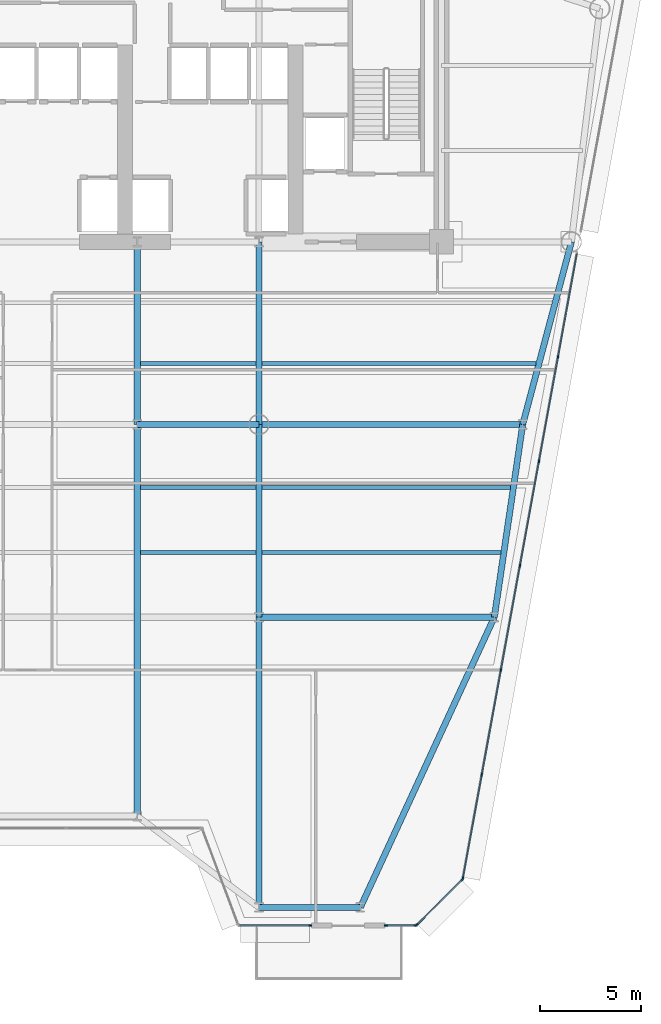
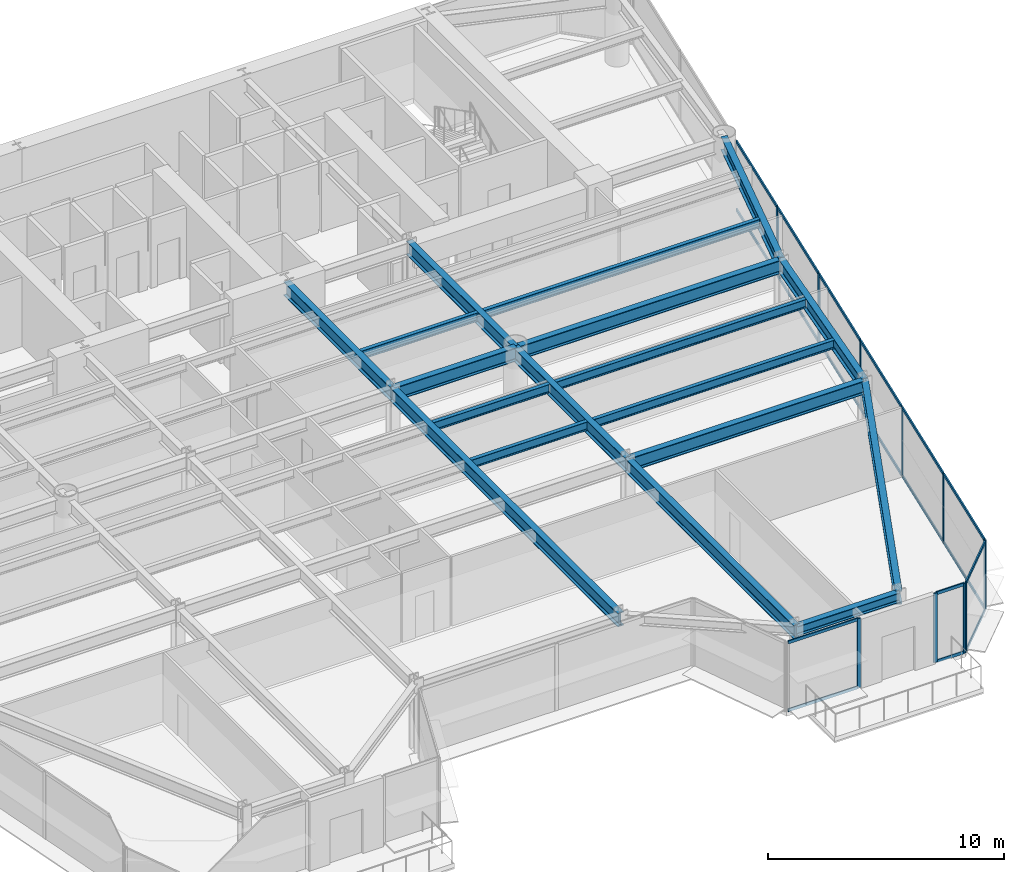
# One storey, part 5 of 17: 29 members, 18 beams, 4 elements without a shape of their own.
"""IFC4 building model written with IfcOpenShell, lengths in metres."""

import ifcopenshell
import ifcopenshell.guid

model = None  # the IFC model being written
_history = None  # IfcOwnerHistory: only IFC2X3 demands one
_inside = {}  # id of a spatial element -> (the spatial element, [elements in it])
_under = {}  # id of a project, library or spatial element -> (it, [spatial elements below it])
_declared = {}  # id of a project -> (the project, [libraries it declares])
_typed = {}  # id of a type object -> (the type object, [elements of that type])
_made_of = {}  # id of a material, layer set ... -> (it, [elements and type objects made of it])


def new_model(schema):
    """Start an empty IFC model of exactly this schema.

    Asked for "IFC4X3", IfcOpenShell would pick the latest addendum, in which some entities
    have other attributes; the version numbers below select the first issue.
    IFC2X3 requires an IfcOwnerHistory on every rooted entity: one is made here for all.
    """
    global model, _history
    if schema == "IFC4X3":
        model = ifcopenshell.file(schema_version=(4, 3, 0, 0))
    else:
        model = ifcopenshell.file(schema=schema)
    _inside.clear()
    _under.clear()
    _declared.clear()
    _typed.clear()
    _made_of.clear()
    _history = None
    if model.schema == "IFC2X3":
        org = make("IfcOrganization", Name="unknown")
        user = make(
            "IfcPersonAndOrganization",
            ThePerson=make("IfcPerson", FamilyName="unknown"),
            TheOrganization=org,
        )
        app = make(
            "IfcApplication",
            ApplicationDeveloper=org,
            Version="unknown",
            ApplicationFullName="unknown",
            ApplicationIdentifier="unknown",
        )
        _history = make(
            "IfcOwnerHistory",
            OwningUser=user,
            OwningApplication=app,
            ChangeAction="ADDED",
            CreationDate=0,
        )
    return model


def make(cls, **values):
    """One entity of the class cls with the attributes given. An attribute that is None is left unset."""
    return model.create_entity(
        cls, **{name: value for name, value in values.items() if value is not None}
    )


def rooted(cls, **values):
    """An entity with a GlobalId (a new one), such as an element, a storey or a relation."""
    return make(cls, GlobalId=ifcopenshell.guid.new(), OwnerHistory=_history, **values)


def si_unit(unit_type, name, prefix=None):
    """IfcSIUnit, for example si_unit("LENGTHUNIT", "METRE", prefix="MILLI")."""
    return make("IfcSIUnit", UnitType=unit_type, Prefix=prefix, Name=name)


def assignment(units):
    """IfcUnitAssignment: the units of a project."""
    return None if units is None else make("IfcUnitAssignment", Units=units)


def point(xyz):
    """IfcCartesianPoint."""
    return None if xyz is None else make("IfcCartesianPoint", Coordinates=xyz)


def direction(xyz):
    """IfcDirection."""
    return None if xyz is None else make("IfcDirection", DirectionRatios=xyz)


def frame(location, z_axis=None, x_axis=None):
    """IfcAxis2Placement3D, a coordinate frame: its origin and axes. An axis left out is left unset."""
    return make(
        "IfcAxis2Placement3D",
        Location=point(location),
        Axis=direction(z_axis),
        RefDirection=direction(x_axis),
    )


def frame_2d(location, x_axis=None):
    """IfcAxis2Placement2D, a coordinate frame in the plane: its origin and x axis."""
    return make(
        "IfcAxis2Placement2D", Location=point(location), RefDirection=direction(x_axis)
    )


def origin():
    """The frame at (0, 0, 0) with its axes left unset."""
    return frame((0.0, 0.0, 0.0))


def origin_2d():
    """The frame at (0, 0) in the plane with its x axis left unset."""
    return frame_2d((0.0, 0.0))


def place(relative_to, where):
    """IfcLocalPlacement: puts the frame where relative to a parent placement (None: the world)."""
    return make(
        "IfcLocalPlacement", PlacementRelTo=relative_to, RelativePlacement=where
    )


def context(
    kind, dimensions, precision=None, world=None, true_north=None, identifier=None
):
    """IfcGeometricRepresentationContext, for example the 3D "Model" context."""
    return make(
        "IfcGeometricRepresentationContext",
        ContextIdentifier=identifier,
        ContextType=kind,
        CoordinateSpaceDimension=dimensions,
        Precision=precision,
        WorldCoordinateSystem=world,
        TrueNorth=true_north,
    )


def subcontext(parent, identifier, kind, view, scale=None):
    """IfcGeometricRepresentationSubContext, for example "Body" below "Model"."""
    return make(
        "IfcGeometricRepresentationSubContext",
        ContextIdentifier=identifier,
        ContextType=kind,
        ParentContext=parent,
        TargetScale=scale,
        TargetView=view,
    )


def project(units=None, contexts=None):
    """IfcProject with its units and contexts."""
    return rooted(
        "IfcProject",
        Name="project",
        RepresentationContexts=contexts,
        UnitsInContext=assignment(units),
    )


def spatial(cls, under=None, at=None, **own):
    """A site, building, storey or space (cls), placed at a placement, below another one or the project."""
    s = rooted(cls, ObjectPlacement=at, **own)
    if under is not None:
        _under.setdefault(under.id(), (under, []))[1].append(s)
    return s


def profile(cls, at=None, kind="AREA", **sizes):
    """A parametric profile (cls). Its sizes go by their IFC names, for example OverallWidth=200.0."""
    return make(cls, ProfileType=kind, Position=at, **sizes)


def rectangle(**sizes):
    """IfcRectangleProfileDef."""
    return profile("IfcRectangleProfileDef", **sizes)


def i_section(**sizes):
    """IfcIShapeProfileDef."""
    return profile("IfcIShapeProfileDef", **sizes)


def extrude(swept, where, along, depth):
    """IfcExtrudedAreaSolid: the profile swept, set in the frame where, extruded along a direction by depth."""
    return make(
        "IfcExtrudedAreaSolid",
        SweptArea=swept,
        Position=where,
        ExtrudedDirection=direction(along),
        Depth=depth,
    )


def shape(context_of_items, identifier, shape_type, items):
    """IfcShapeRepresentation: the items that make up one representation, for example the "Body"."""
    return make(
        "IfcShapeRepresentation",
        ContextOfItems=context_of_items,
        RepresentationIdentifier=identifier,
        RepresentationType=shape_type,
        Items=items,
    )


def source(mapping_origin, context_of_items, identifier, shape_type, items):
    """IfcRepresentationMap: a shape defined once, which mapped items show again and again."""
    return make(
        "IfcRepresentationMap",
        MappingOrigin=mapping_origin,
        MappedRepresentation=shape(context_of_items, identifier, shape_type, items),
    )


def transform(
    local_origin,
    x_axis=None,
    y_axis=None,
    z_axis=None,
    scale=None,
    scale2=None,
    scale3=None,
    uniform=True,
):
    """IfcCartesianTransformationOperator3D, or its non-uniform kind. x_axis, y_axis, z_axis: its Axis1, 2, 3."""
    if uniform:
        return make(
            "IfcCartesianTransformationOperator3D",
            Axis1=direction(x_axis),
            Axis2=direction(y_axis),
            LocalOrigin=point(local_origin),
            Scale=scale,
            Axis3=direction(z_axis),
        )
    return make(
        "IfcCartesianTransformationOperator3DnonUniform",
        Axis1=direction(x_axis),
        Axis2=direction(y_axis),
        LocalOrigin=point(local_origin),
        Scale=scale,
        Axis3=direction(z_axis),
        Scale2=scale2,
        Scale3=scale3,
    )


def mapped(mapping_source, mapping_target):
    """IfcMappedItem: shows the shape of a source again, moved by a transform."""
    return make(
        "IfcMappedItem", MappingSource=mapping_source, MappingTarget=mapping_target
    )


def material(Name=None, Category=None):
    """IfcMaterial."""
    return make("IfcMaterial", Name=Name, Category=Category)


def layer(
    of_material, thickness, ventilated=None, Name=None, Category=None, Priority=None
):
    """IfcMaterialLayer: one layer of a wall or slab, of a material (None: an air gap)."""
    return make(
        "IfcMaterialLayer",
        Material=of_material,
        LayerThickness=thickness,
        IsVentilated=ventilated,
        Name=Name,
        Category=Category,
        Priority=Priority,
    )


def layer_set(layers, Name=None):
    """IfcMaterialLayerSet."""
    return make("IfcMaterialLayerSet", MaterialLayers=layers, LayerSetName=Name)


def material_profile(
    of_material, cross_section, Name=None, Category=None, Priority=None
):
    """IfcMaterialProfile: a cross section and its material."""
    return make(
        "IfcMaterialProfile",
        Name=Name,
        Material=of_material,
        Profile=cross_section,
        Priority=Priority,
        Category=Category,
    )


def profile_set(profiles, Name=None, composite=None):
    """IfcMaterialProfileSet."""
    return make(
        "IfcMaterialProfileSet",
        Name=Name,
        MaterialProfiles=profiles,
        CompositeProfile=composite,
    )


def made_of(thing, what):
    """Note that an element or type object is made of a material, layer set ...; save() writes the relation."""
    if what is not None:
        _made_of.setdefault(what.id(), (what, []))[1].append(thing)
    return thing


def type_object(cls, material=None, **own):
    """A type object (cls), such as IfcWallType, which elements share."""
    return made_of(rooted(cls, **own), material)


def element(
    cls,
    number,
    at=None,
    inside=None,
    cuts=None,
    type_object=None,
    material=None,
    context=None,
    identifier="Body",
    shape_type=None,
    held_by="IfcProductDefinitionShape",
    body=None,
    shapes=None,
    **own,
):
    """One element of the class cls, such as IfcWall. Its Tag is "e" and its number.

    at: its placement. inside: the storey or other place that contains it. cuts: it is an
    opening in that element (IfcRelVoidsElement). A single representation is given by context,
    identifier, shape_type and body (its items); several are given by shapes. held_by: the class
    of the entity that holds the representations. save() writes the other relations.
    """
    e = rooted(cls, Tag="e%d" % number, ObjectPlacement=at, **own)
    if body is not None:
        shapes = [shape(context, identifier, shape_type, body)]
    if shapes is not None:
        e.Representation = make(held_by, Representations=shapes)
    if inside is not None:
        _inside.setdefault(inside.id(), (inside, []))[1].append(e)
    if cuts is not None:
        rooted(
            "IfcRelVoidsElement", RelatingBuildingElement=cuts, RelatedOpeningElement=e
        )
    if type_object is not None:
        _typed.setdefault(type_object.id(), (type_object, []))[1].append(e)
    return made_of(e, material)


def aggregate(whole, parts):
    """IfcRelAggregates: a whole, such as a stair, and the parts it consists of."""
    return rooted("IfcRelAggregates", RelatingObject=whole, RelatedObjects=parts)


def save(model, path):
    """Write the relations noted so far, then the file.

    IfcRelAggregates (storeys below a building ...), IfcRelContainedInSpatialStructure (elements
    in a storey), IfcRelDefinesByType, IfcRelAssociatesMaterial and IfcRelDeclares: one each for
    every whole, place, type object, material and project.
    """
    for whole, parts in _under.values():
        aggregate(whole, parts)
    for where, things in _inside.values():
        rooted(
            "IfcRelContainedInSpatialStructure",
            RelatedElements=things,
            RelatingStructure=where,
        )
    for kind, things in _typed.values():
        rooted("IfcRelDefinesByType", RelatedObjects=things, RelatingType=kind)
    for what, things in _made_of.values():
        rooted("IfcRelAssociatesMaterial", RelatedObjects=things, RelatingMaterial=what)
    for by, libraries in _declared.values():
        rooted("IfcRelDeclares", RelatingContext=by, RelatedDefinitions=libraries)
    model.write(path)


model = new_model("IFC4")

# Units and contexts
model_context = context("Model", 3, precision=1e-05, world=origin(), true_north=direction((0.0, 1.0)))
body_context = subcontext(model_context, "Body", "Model", "MODEL_VIEW")
ifc_project = project(units=[si_unit("LENGTHUNIT", "METRE"), si_unit("AREAUNIT", "SQUARE_METRE"), si_unit("VOLUMEUNIT", "CUBIC_METRE"), si_unit("PLANEANGLEUNIT", "RADIAN"), si_unit("MASSUNIT", "GRAM", prefix="KILO")], contexts=[model_context])

# Site, building, storey
site_placement = place(None, origin())
site = spatial("IfcSite", under=ifc_project, at=site_placement, CompositionType="ELEMENT")
building_placement = place(site_placement, origin())
building = spatial("IfcBuilding", under=site, at=building_placement, Name="Vaeldorn Concourse Tower", CompositionType="ELEMENT")
storey_placement = place(building_placement, frame((0.0, 0.0, 153.800048828125)))
storey = spatial("IfcBuildingStorey", under=building, at=storey_placement, Name="L39", CompositionType="ELEMENT", Elevation=153.800048828125)

# Beams
ifc_material_1 = material(Name="Steel S355", Category="steel")
ifc_material_profile_1 = material_profile(ifc_material_1, i_section(OverallWidth=0.300048828125, OverallDepth=0.699951171875, WebThickness=0.01708984375, FlangeThickness=0.031982421875, FilletRadius=0.027099609375, at=origin_2d()), Name="HEB 700")
ifc_profile_set_1 = profile_set([ifc_material_profile_1], Name="Steel S355")
beam_type_1 = type_object("IfcBeamType", Name="BM-PG-HEB700", PredefinedType="BEAM", material=ifc_profile_set_1)
shared_shape_1 = source(origin(), body_context, "Body", "SweptSolid", [
    extrude(i_section(OverallWidth=0.300048828125, OverallDepth=0.699951171875, WebThickness=0.01708984375, FlangeThickness=0.031982421875, FilletRadius=0.027099609375, at=origin_2d()), origin(), (0.0, 0.0, 1.0), 6.0),
])
beam_1_placement = place(storey_placement, frame((39.0, 27.5, 3.22998046875), z_axis=(1.0, 0.0, 0.0), x_axis=(0.0, 1.0, 0.0)))
element("IfcBeam", 1, at=beam_1_placement, inside=storey, type_object=beam_type_1, Name="Beam BM-L39-C-TW3-C-TW4", PredefinedType="BEAM", context=body_context, shape_type="MappedRepresentation", body=[
    mapped(shared_shape_1, transform((0.0, 0.0, 0.0), scale=1.0)),
])
shared_shape_2 = source(origin(), body_context, "Body", "SweptSolid", [
    extrude(i_section(OverallWidth=0.300048828125, OverallDepth=0.699951171875, WebThickness=0.01708984375, FlangeThickness=0.031982421875, FilletRadius=0.027099609375, at=origin_2d()), origin(), (0.0, 0.0, 1.0), 9.0),
])
for number, where, z_axis, x_axis, name in (
    (2, (39.0, 27.5, 3.22998046875), (0.0, 1.0, 0.0), (-1.0, 0.0, 0.0), "Beam BM-L39-C-TW3-C-FC4"),
    (3, (45.0, 27.5, 3.22998046875), (0.0, 1.0, 0.0), (-1.0, 0.0, 0.0), "Beam BM-L39-C-TW4-C-FC5"),
):
    element("IfcBeam", number, at=place(storey_placement, frame(where, z_axis=z_axis, x_axis=x_axis)), inside=storey, type_object=beam_type_1, Name=name, PredefinedType="BEAM", context=body_context, shape_type="MappedRepresentation", body=[
        mapped(shared_shape_2, transform((0.0, 0.0, 0.0), scale=1.0)),
    ])
shared_shape_3 = source(origin(), body_context, "Body", "SweptSolid", [
    extrude(i_section(OverallWidth=0.300048828125, OverallDepth=0.699951171875, WebThickness=0.01708984375, FlangeThickness=0.031982421875, FilletRadius=0.027099609375, at=origin_2d()), origin(), (0.0, 0.0, 1.0), 9.314453125),
])
beam_2_placement = place(storey_placement, frame((60.39990234375, 36.5, 3.22998046875), z_axis=(-0.257652862255, -0.966237549763, 0.0), x_axis=(0.966237549763, -0.257652862255, 0.0)))
element("IfcBeam", 4, at=beam_2_placement, inside=storey, type_object=beam_type_1, Name="Beam BM-L39-C-NE2-C-FLE1", PredefinedType="BEAM", context=body_context, shape_type="MappedRepresentation", body=[
    mapped(shared_shape_3, transform((0.0, 0.0, 0.0), scale=1.0)),
])
shared_shape_4 = source(origin(), body_context, "Body", "SweptSolid", [
    extrude(i_section(OverallWidth=0.300048828125, OverallDepth=0.699951171875, WebThickness=0.01708984375, FlangeThickness=0.031982421875, FilletRadius=0.027099609375, at=origin_2d()), origin(), (0.0, 0.0, 1.0), 13.0),
])
beam_3_placement = place(storey_placement, frame((45.0, 27.5, 3.22998046875), z_axis=(1.0, 0.0, 0.0), x_axis=(0.0, 1.0, 0.0)))
element("IfcBeam", 5, at=beam_3_placement, inside=storey, type_object=beam_type_1, Name="Beam BM-L39-C-TW4-C-FLE1", PredefinedType="BEAM", context=body_context, shape_type="MappedRepresentation", body=[
    mapped(shared_shape_4, transform((0.0, 0.0, 0.0), scale=1.0)),
])
ifc_material_profile_2 = material_profile(ifc_material_1, i_section(OverallWidth=0.300048828125, OverallDepth=0.5, WebThickness=0.014404296875, FlangeThickness=0.028076171875, FilletRadius=0.027099609375, at=origin_2d()), Name="HEB 500")
ifc_profile_set_2 = profile_set([ifc_material_profile_2], Name="Steel S355")
beam_type_2 = type_object("IfcBeamType", Name="BM-SP-HEB500", PredefinedType="SPANDREL", material=ifc_profile_set_2)
shared_shape_5 = source(origin(), body_context, "Body", "SweptSolid", [
    extrude(i_section(OverallWidth=0.300048828125, OverallDepth=0.5, WebThickness=0.014404296875, FlangeThickness=0.028076171875, FilletRadius=0.027099609375, at=origin_2d()), origin(), (0.0, 0.0, 1.0), 5.0),
])
beam_4_placement = place(storey_placement, frame((45.0, 3.699951171875, 3.329833984375), z_axis=(1.0, 0.0, 0.0), x_axis=(0.0, 1.0, 0.0)))
element("IfcBeam", 6, at=beam_4_placement, inside=storey, type_object=beam_type_2, Name="Beam BM-L39-C-SF5-C-SF6", PredefinedType="SPANDREL", context=body_context, shape_type="MappedRepresentation", body=[
    mapped(shared_shape_5, transform((0.0, 0.0, 0.0), scale=1.0)),
])
shared_shape_6 = source(origin(), body_context, "Body", "SweptSolid", [
    extrude(i_section(OverallWidth=0.300048828125, OverallDepth=0.699951171875, WebThickness=0.01708984375, FlangeThickness=0.031982421875, FilletRadius=0.027099609375, at=origin_2d()), origin(), (0.0, 0.0, 1.0), 9.6025390625),
])
beam_5_placement = place(storey_placement, frame((58.0, 27.5, 3.22998046875), z_axis=(-0.145783835977, -0.989316467652, 0.0), x_axis=(0.989316467652, -0.145783835977, 0.0)))
element("IfcBeam", 7, at=beam_5_placement, inside=storey, type_object=beam_type_1, Name="Beam BM-L39-C-FLE1-C-FLE2", PredefinedType="BEAM", context=body_context, shape_type="MappedRepresentation", body=[
    mapped(shared_shape_6, transform((0.0, 0.0, 0.0), scale=1.0)),
])
shared_shape_7 = source(origin(), body_context, "Body", "SweptSolid", [
    extrude(i_section(OverallWidth=0.300048828125, OverallDepth=0.699951171875, WebThickness=0.01708984375, FlangeThickness=0.031982421875, FilletRadius=0.027099609375, at=origin_2d()), origin(), (0.0, 0.0, 1.0), 11.60009765625),
])
beam_6_placement = place(storey_placement, frame((45.0, 18.0, 3.22998046875), z_axis=(1.0, 0.0, 0.0), x_axis=(0.0, 1.0, 0.0)))
element("IfcBeam", 8, at=beam_6_placement, inside=storey, type_object=beam_type_1, Name="Beam BM-L39-C-TW6-C-FLE2", PredefinedType="BEAM", context=body_context, shape_type="MappedRepresentation", body=[
    mapped(shared_shape_7, transform((0.0, 0.0, 0.0), scale=1.0)),
])
shared_shape_8 = source(origin(), body_context, "Body", "SweptSolid", [
    extrude(i_section(OverallWidth=0.300048828125, OverallDepth=0.699951171875, WebThickness=0.01708984375, FlangeThickness=0.031982421875, FilletRadius=0.027099609375, at=origin_2d()), origin(), (0.0, 0.0, 1.0), 9.5),
])
beam_7_placement = place(storey_placement, frame((45.0, 18.0, 3.22998046875), z_axis=(0.0, 1.0, 0.0), x_axis=(-1.0, 0.0, 0.0)))
element("IfcBeam", 9, at=beam_7_placement, inside=storey, type_object=beam_type_1, Name="Beam BM-L39-C-TW6-C-TW4", PredefinedType="BEAM", context=body_context, shape_type="MappedRepresentation", body=[
    mapped(shared_shape_8, transform((0.0, 0.0, 0.0), scale=1.0)),
])
ifc_material_profile_3 = material_profile(ifc_material_1, i_section(OverallWidth=0.18994140625, OverallDepth=0.449951171875, WebThickness=0.009521484375, FlangeThickness=0.0146484375, FilletRadius=0.02099609375, at=origin_2d()), Name="IPE 450")
ifc_profile_set_3 = profile_set([ifc_material_profile_3], Name="Steel S355")
beam_type_3 = type_object("IfcBeamType", Name="BM-JS-IPE450", PredefinedType="JOIST", material=ifc_profile_set_3)
shared_shape_9 = source(origin(), body_context, "Body", "SweptSolid", [
    extrude(i_section(OverallWidth=0.18994140625, OverallDepth=0.449951171875, WebThickness=0.009521484375, FlangeThickness=0.0146484375, FilletRadius=0.02099609375, at=origin_2d()), origin(), (0.0, 0.0, 1.0), 5.7001953125),
])
for number, where, z_axis, x_axis, name in (
    (10, (39.14990234375, 21.199951171875, 3.35498046875), (1.0, 0.0, 0.0), (0.0, 1.0, 0.0), "Beam JS-L39-E2-212"),
    (11, (39.14990234375, 24.39990234375, 3.35498046875), (1.0, 0.0, 0.0), (0.0, 1.0, 0.0), "Beam JS-L39-E2-244"),
    (12, (39.14990234375, 30.5, 3.35498046875), (1.0, 0.0, 0.0), (0.0, 1.0, 0.0), "Beam JS-L39-E2-305"),
):
    element("IfcBeam", number, at=place(storey_placement, frame(where, z_axis=z_axis, x_axis=x_axis)), inside=storey, type_object=beam_type_3, Name=name, PredefinedType="JOIST", context=body_context, shape_type="MappedRepresentation", body=[
        mapped(shared_shape_9, transform((0.0, 0.0, 0.0), scale=1.0)),
    ])
shared_shape_10 = source(origin(), body_context, "Body", "SweptSolid", [
    extrude(i_section(OverallWidth=0.18994140625, OverallDepth=0.449951171875, WebThickness=0.009521484375, FlangeThickness=0.0146484375, FilletRadius=0.02099609375, at=origin_2d()), origin(), (0.0, 0.0, 1.0), 11.771728515625),
])
beam_8_placement = place(storey_placement, frame((45.14990234375, 21.199951171875, 3.35498046875), z_axis=(1.0, 0.0, 0.0), x_axis=(0.0, 1.0, 0.0)))
element("IfcBeam", 13, at=beam_8_placement, inside=storey, type_object=beam_type_3, Name="Beam JS-L39-E1-212", PredefinedType="JOIST", context=body_context, shape_type="MappedRepresentation", body=[
    mapped(shared_shape_10, transform((0.0, 0.0, 0.0), scale=1.0)),
])
shared_shape_11 = source(origin(), body_context, "Body", "SweptSolid", [
    extrude(i_section(OverallWidth=0.18994140625, OverallDepth=0.449951171875, WebThickness=0.009521484375, FlangeThickness=0.0146484375, FilletRadius=0.02099609375, at=origin_2d()), origin(), (0.0, 0.0, 1.0), 12.243408203125),
])
beam_9_placement = place(storey_placement, frame((45.14990234375, 24.39990234375, 3.35498046875), z_axis=(1.0, 0.0, 0.0), x_axis=(0.0, 1.0, 0.0)))
element("IfcBeam", 14, at=beam_9_placement, inside=storey, type_object=beam_type_3, Name="Beam JS-L39-E1-244", PredefinedType="JOIST", context=body_context, shape_type="MappedRepresentation", body=[
    mapped(shared_shape_11, transform((0.0, 0.0, 0.0), scale=1.0)),
])
shared_shape_12 = source(origin(), body_context, "Body", "SweptSolid", [
    extrude(i_section(OverallWidth=0.18994140625, OverallDepth=0.449951171875, WebThickness=0.009521484375, FlangeThickness=0.0146484375, FilletRadius=0.02099609375, at=origin_2d()), origin(), (0.0, 0.0, 1.0), 13.5),
])
beam_10_placement = place(storey_placement, frame((45.14990234375, 30.5, 3.35498046875), z_axis=(1.0, 0.0, 0.0), x_axis=(0.0, 1.0, 0.0)))
element("IfcBeam", 15, at=beam_10_placement, inside=storey, type_object=beam_type_3, Name="Beam JS-L39-E1-305", PredefinedType="JOIST", context=body_context, shape_type="MappedRepresentation", body=[
    mapped(shared_shape_12, transform((0.0, 0.0, 0.0), scale=1.0)),
])
shared_shape_13 = source(origin(), body_context, "Body", "SweptSolid", [
    extrude(i_section(OverallWidth=0.300048828125, OverallDepth=0.699951171875, WebThickness=0.01708984375, FlangeThickness=0.031982421875, FilletRadius=0.027099609375, at=origin_2d()), origin(), (0.0, 0.0, 1.0), 15.749755859375),
])
beam_11_placement = place(storey_placement, frame((50.0, 3.699951171875, 3.22998046875), z_axis=(0.419062109495, 0.907957569706, 0.0), x_axis=(-0.907957569706, 0.419062109495, 0.0)))
element("IfcBeam", 16, at=beam_11_placement, inside=storey, type_object=beam_type_1, Name="Beam BM-L39-C-SF6-C-FLE2", PredefinedType="BEAM", context=body_context, shape_type="MappedRepresentation", body=[
    mapped(shared_shape_13, transform((0.0, 0.0, 0.0), scale=1.0)),
])
shared_shape_14 = source(origin(), body_context, "Body", "SweptSolid", [
    extrude(i_section(OverallWidth=0.300048828125, OverallDepth=0.699951171875, WebThickness=0.01708984375, FlangeThickness=0.031982421875, FilletRadius=0.027099609375, at=origin_2d()), origin(), (0.0, 0.0, 1.0), 14.300048828125),
])
beam_12_placement = place(storey_placement, frame((45.0, 3.699951171875, 3.22998046875), z_axis=(0.0, 1.0, 0.0), x_axis=(-1.0, 0.0, 0.0)))
element("IfcBeam", 17, at=beam_12_placement, inside=storey, type_object=beam_type_1, Name="Beam BM-L39-C-SF5-C-TW6", PredefinedType="BEAM", context=body_context, shape_type="MappedRepresentation", body=[
    mapped(shared_shape_14, transform((0.0, 0.0, 0.0), scale=1.0)),
])
shared_shape_15 = source(origin(), body_context, "Body", "SweptSolid", [
    extrude(i_section(OverallWidth=0.300048828125, OverallDepth=0.699951171875, WebThickness=0.01708984375, FlangeThickness=0.031982421875, FilletRadius=0.027099609375, at=origin_2d()), origin(), (0.0, 0.0, 1.0), 19.300048828125),
])
beam_13_placement = place(storey_placement, frame((39.0, 8.199951171875, 3.22998046875), z_axis=(0.0, 1.0, 0.0), x_axis=(-1.0, 0.0, 0.0)))
element("IfcBeam", 18, at=beam_13_placement, inside=storey, type_object=beam_type_1, Name="Beam BM-L39-C-SF4-C-TW3", PredefinedType="BEAM", context=body_context, shape_type="MappedRepresentation", body=[
    mapped(shared_shape_15, transform((0.0, 0.0, 0.0), scale=1.0)),
])

# Curtain wall, member
ifc_material_2 = material(Name="Anodised Bronze Aluminium", Category="aluminium")
ifc_layer = layer(ifc_material_2, 0.2099609375)
ifc_layer_set = layer_set([ifc_layer], Name="Anodised Bronze Aluminium")
curtain_wall_type = type_object("IfcCurtainWallType", Name="CW-SYS-06", PredefinedType="NOTDEFINED", material=ifc_layer_set)
curtain_wall_1_placement = place(storey_placement, origin())
curtain_wall_1 = element("IfcCurtainWall", 19, at=curtain_wall_1_placement, inside=storey, type_object=curtain_wall_type, Name="Unitised Curtain Wall CW-L39-E05-1", PredefinedType="NOTDEFINED")
ifc_material_profile_4 = material_profile(ifc_material_2, rectangle(XDim=0.06494140625, YDim=0.169921875, at=origin_2d()), Name="CWM 65x170")
ifc_profile_set_4 = profile_set([ifc_material_profile_4], Name="Anodised Bronze Aluminium")
member_type_1 = type_object("IfcMemberType", Name="CWM-BRONZE-170", PredefinedType="MULLION", material=ifc_profile_set_4)
shared_shape_16 = source(origin(), body_context, "Body", "SweptSolid", [
    extrude(rectangle(XDim=0.06494140625, YDim=0.169921875, at=origin_2d()), origin(), (0.0, 0.0, 1.0), 3.579833984375),
])
member_1_placement = place(storey_placement, frame((47.527587890625, 2.800048828125, 0.0), z_axis=(0.0, 0.0, 1.0), x_axis=(0.0, 1.0, 0.0)))
member_1 = element("IfcMember", 20, at=member_1_placement, type_object=member_type_1, Name="CW-06 mullion 2", PredefinedType="MULLION", context=body_context, shape_type="MappedRepresentation", body=[
    mapped(shared_shape_16, transform((0.0, 0.0, 0.0), scale=1.0)),
])

# Curtain wall, members
curtain_wall_2_placement = place(storey_placement, origin())
curtain_wall_2 = element("IfcCurtainWall", 21, at=curtain_wall_2_placement, inside=storey, type_object=curtain_wall_type, Name="Unitised Curtain Wall CW-L39-E05-2", PredefinedType="NOTDEFINED")
member_2_placement = place(storey_placement, frame((51.2724609375, 2.800048828125, 0.0), z_axis=(0.0, 0.0, 1.0), x_axis=(0.0, 1.0, 0.0)))
member_2 = element("IfcMember", 22, at=member_2_placement, type_object=member_type_1, Name="CW-06 mullion 1", PredefinedType="MULLION", context=body_context, shape_type="MappedRepresentation", body=[
    mapped(shared_shape_16, transform((0.0, 0.0, 0.0), scale=1.0)),
])
member_3_placement = place(storey_placement, frame((52.714599609375, 2.800048828125, 0.0), z_axis=(0.0, 0.0, 1.0), x_axis=(0.0, 1.0, 0.0)))
member_3 = element("IfcMember", 23, at=member_3_placement, type_object=member_type_1, Name="CW-06 mullion 2", PredefinedType="MULLION", context=body_context, shape_type="MappedRepresentation", body=[
    mapped(shared_shape_16, transform((0.0, 0.0, 0.0), scale=1.0)),
])

curtain_wall_3_placement = place(storey_placement, origin())
curtain_wall_3 = element("IfcCurtainWall", 24, at=curtain_wall_3_placement, inside=storey, type_object=curtain_wall_type, Name="Unitised Curtain Wall CW-L39-E06-1", PredefinedType="NOTDEFINED")
member_4_placement = place(storey_placement, frame((52.77001953125, 2.822998046875, 0.0), z_axis=(0.0, 0.0, 1.0), x_axis=(-0.707106781187, 0.707106781187, 0.0)))
member_4 = element("IfcMember", 25, at=member_4_placement, type_object=member_type_1, Name="CW-06 mullion 1", PredefinedType="MULLION", context=body_context, shape_type="MappedRepresentation", body=[
    mapped(shared_shape_16, transform((0.0, 0.0, 0.0), scale=1.0)),
])
member_5_placement = place(storey_placement, frame((55.02392578125, 5.076904296875, 0.0), z_axis=(0.0, 0.0, 1.0), x_axis=(-0.707106781187, 0.707106781187, 0.0)))
member_5 = element("IfcMember", 26, at=member_5_placement, type_object=member_type_1, Name="CW-06 mullion 2", PredefinedType="MULLION", context=body_context, shape_type="MappedRepresentation", body=[
    mapped(shared_shape_16, transform((0.0, 0.0, 0.0), scale=1.0)),
])

curtain_wall_4_placement = place(storey_placement, origin())
curtain_wall_4 = element("IfcCurtainWall", 27, at=curtain_wall_4_placement, inside=storey, type_object=curtain_wall_type, Name="Unitised Curtain Wall CW-L39-E07-1", PredefinedType="NOTDEFINED")
member_6_placement = place(storey_placement, frame((55.052734375, 5.132080078125, 0.0), z_axis=(0.0, 0.0, 1.0), x_axis=(-0.983767760981, 0.179446349793, 0.0)))
member_6 = element("IfcMember", 28, at=member_6_placement, type_object=member_type_1, Name="CW-06 mullion 1", PredefinedType="MULLION", context=body_context, shape_type="MappedRepresentation", body=[
    mapped(shared_shape_16, transform((0.0, 0.0, 0.0), scale=1.0)),
])
member_7_placement = place(storey_placement, frame((55.98583984375, 10.2470703125, 0.0), z_axis=(0.0, 0.0, 1.0), x_axis=(-0.983767760981, 0.179446349793, 0.0)))
member_7 = element("IfcMember", 29, at=member_7_placement, type_object=member_type_1, Name="CW-06 mullion 2", PredefinedType="MULLION", context=body_context, shape_type="MappedRepresentation", body=[
    mapped(shared_shape_16, transform((0.0, 0.0, 0.0), scale=1.0)),
])
member_8_placement = place(storey_placement, frame((56.9248046875, 15.39404296875, 0.0), z_axis=(0.0, 0.0, 1.0), x_axis=(-0.983767760981, 0.179446349793, 0.0)))
member_8 = element("IfcMember", 30, at=member_8_placement, type_object=member_type_1, Name="CW-06 mullion 3", PredefinedType="MULLION", context=body_context, shape_type="MappedRepresentation", body=[
    mapped(shared_shape_16, transform((0.0, 0.0, 0.0), scale=1.0)),
])
member_9_placement = place(storey_placement, frame((57.863525390625, 20.541015625, 0.0), z_axis=(0.0, 0.0, 1.0), x_axis=(-0.983767760981, 0.179446349793, 0.0)))
member_9 = element("IfcMember", 31, at=member_9_placement, type_object=member_type_1, Name="CW-06 mullion 4", PredefinedType="MULLION", context=body_context, shape_type="MappedRepresentation", body=[
    mapped(shared_shape_16, transform((0.0, 0.0, 0.0), scale=1.0)),
])
member_10_placement = place(storey_placement, frame((58.802490234375, 25.68798828125, 0.0), z_axis=(0.0, 0.0, 1.0), x_axis=(-0.983767760981, 0.179446349793, 0.0)))
member_10 = element("IfcMember", 32, at=member_10_placement, type_object=member_type_1, Name="CW-06 mullion 5", PredefinedType="MULLION", context=body_context, shape_type="MappedRepresentation", body=[
    mapped(shared_shape_16, transform((0.0, 0.0, 0.0), scale=1.0)),
])
member_11_placement = place(storey_placement, frame((59.7412109375, 30.8349609375, 0.0), z_axis=(0.0, 0.0, 1.0), x_axis=(-0.983767760981, 0.179446349793, 0.0)))
member_11 = element("IfcMember", 33, at=member_11_placement, type_object=member_type_1, Name="CW-06 mullion 6", PredefinedType="MULLION", context=body_context, shape_type="MappedRepresentation", body=[
    mapped(shared_shape_16, transform((0.0, 0.0, 0.0), scale=1.0)),
])

# Member
ifc_material_profile_5 = material_profile(ifc_material_2, rectangle(XDim=0.06494140625, YDim=0.14990234375, at=origin_2d()), Name="CWT 65x150")
ifc_profile_set_5 = profile_set([ifc_material_profile_5], Name="Anodised Bronze Aluminium")
member_type_2 = type_object("IfcMemberType", Name="CWT-BRONZE-150", PredefinedType="USERDEFINED", material=ifc_profile_set_5)
shared_shape_17 = source(origin(), body_context, "Body", "SweptSolid", [
    extrude(rectangle(XDim=0.06494140625, YDim=0.14990234375, at=origin_2d()), origin(), (0.0, 0.0, 1.0), 3.43017578125),
])
member_12_placement = place(storey_placement, frame((44.06494140625, 2.800048828125, 0.032470703125), z_axis=(1.0, 0.0, 0.0), x_axis=(0.0, 1.0, 0.0)))
member_12 = element("IfcMember", 34, at=member_12_placement, type_object=member_type_2, Name="CW-06 transom 1.1", ObjectType="TRANSOM", PredefinedType="USERDEFINED", context=body_context, shape_type="MappedRepresentation", body=[
    mapped(shared_shape_17, transform((0.0, 0.0, 0.0), scale=1.0)),
])

member_13_placement = place(storey_placement, frame((44.06494140625, 2.800048828125, 3.54736328125), z_axis=(1.0, 0.0, 0.0), x_axis=(0.0, 1.0, 0.0)))
member_13 = element("IfcMember", 35, at=member_13_placement, type_object=member_type_2, Name="CW-06 transom 1.2", ObjectType="TRANSOM", PredefinedType="USERDEFINED", context=body_context, shape_type="MappedRepresentation", body=[
    mapped(shared_shape_17, transform((0.0, 0.0, 0.0), scale=1.0)),
])

aggregate(curtain_wall_1, [member_1, member_12, member_13])

shared_shape_18 = source(origin(), body_context, "Body", "SweptSolid", [
    extrude(rectangle(XDim=0.06494140625, YDim=0.14990234375, at=origin_2d()), origin(), (0.0, 0.0, 1.0), 1.376953125),
])
member_14_placement = place(storey_placement, frame((51.304931640625, 2.800048828125, 0.032470703125), z_axis=(1.0, 0.0, 0.0), x_axis=(0.0, 1.0, 0.0)))
member_14 = element("IfcMember", 36, at=member_14_placement, type_object=member_type_2, Name="CW-06 transom 1.1", ObjectType="TRANSOM", PredefinedType="USERDEFINED", context=body_context, shape_type="MappedRepresentation", body=[
    mapped(shared_shape_18, transform((0.0, 0.0, 0.0), scale=1.0)),
])

member_15_placement = place(storey_placement, frame((51.304931640625, 2.800048828125, 3.54736328125), z_axis=(1.0, 0.0, 0.0), x_axis=(0.0, 1.0, 0.0)))
member_15 = element("IfcMember", 37, at=member_15_placement, type_object=member_type_2, Name="CW-06 transom 1.2", ObjectType="TRANSOM", PredefinedType="USERDEFINED", context=body_context, shape_type="MappedRepresentation", body=[
    mapped(shared_shape_18, transform((0.0, 0.0, 0.0), scale=1.0)),
])

aggregate(curtain_wall_2, [member_2, member_3, member_14, member_15])

shared_shape_19 = source(origin(), body_context, "Body", "SweptSolid", [
    extrude(rectangle(XDim=0.06494140625, YDim=0.14990234375, at=origin_2d()), origin(), (0.0, 0.0, 1.0), 3.12255859375),
])
member_16_placement = place(storey_placement, frame((52.79296875, 2.845947265625, 0.032470703125), z_axis=(0.707106781187, 0.707106781187, 0.0), x_axis=(-0.707106781187, 0.707106781187, 0.0)))
member_16 = element("IfcMember", 38, at=member_16_placement, type_object=member_type_2, Name="CW-06 transom 1.1", ObjectType="TRANSOM", PredefinedType="USERDEFINED", context=body_context, shape_type="MappedRepresentation", body=[
    mapped(shared_shape_19, transform((0.0, 0.0, 0.0), scale=1.0)),
])

member_17_placement = place(storey_placement, frame((52.79296875, 2.845947265625, 3.54736328125), z_axis=(0.707106781187, 0.707106781187, 0.0), x_axis=(-0.707106781187, 0.707106781187, 0.0)))
member_17 = element("IfcMember", 39, at=member_17_placement, type_object=member_type_2, Name="CW-06 transom 1.2", ObjectType="TRANSOM", PredefinedType="USERDEFINED", context=body_context, shape_type="MappedRepresentation", body=[
    mapped(shared_shape_19, transform((0.0, 0.0, 0.0), scale=1.0)),
])

aggregate(curtain_wall_3, [member_4, member_5, member_16, member_17])

shared_shape_20 = source(origin(), body_context, "Body", "SweptSolid", [
    extrude(rectangle(XDim=0.06494140625, YDim=0.14990234375, at=origin_2d()), origin(), (0.0, 0.0, 1.0), 5.13427734375),
])
member_18_placement = place(storey_placement, frame((55.05859375, 5.1640625, 0.032470703125), z_axis=(0.179454489179, 0.983766276264, 0.0), x_axis=(-0.983766276264, 0.179454489179, 0.0)))
member_18 = element("IfcMember", 40, at=member_18_placement, type_object=member_type_2, Name="CW-06 transom 1.1", ObjectType="TRANSOM", PredefinedType="USERDEFINED", context=body_context, shape_type="MappedRepresentation", body=[
    mapped(shared_shape_20, transform((0.0, 0.0, 0.0), scale=1.0)),
])

member_19_placement = place(storey_placement, frame((55.05859375, 5.1640625, 3.54736328125), z_axis=(0.179454489179, 0.983766276264, 0.0), x_axis=(-0.983766276264, 0.179454489179, 0.0)))
member_19 = element("IfcMember", 41, at=member_19_placement, type_object=member_type_2, Name="CW-06 transom 1.2", ObjectType="TRANSOM", PredefinedType="USERDEFINED", context=body_context, shape_type="MappedRepresentation", body=[
    mapped(shared_shape_20, transform((0.0, 0.0, 0.0), scale=1.0)),
])

member_20_placement = place(storey_placement, frame((59.7470703125, 30.866943359375, 0.032470703125), z_axis=(0.179454489179, 0.983766276264, 0.0), x_axis=(-0.983766276264, 0.179454489179, 0.0)))
member_20 = element("IfcMember", 42, at=member_20_placement, type_object=member_type_2, Name="CW-06 transom 6.1", ObjectType="TRANSOM", PredefinedType="USERDEFINED", context=body_context, shape_type="MappedRepresentation", body=[
    mapped(shared_shape_20, transform((0.0, 0.0, 0.0), scale=1.0)),
])

member_21_placement = place(storey_placement, frame((59.7470703125, 30.866943359375, 3.54736328125), z_axis=(0.179454489179, 0.983766276264, 0.0), x_axis=(-0.983766276264, 0.179454489179, 0.0)))
member_21 = element("IfcMember", 43, at=member_21_placement, type_object=member_type_2, Name="CW-06 transom 6.2", ObjectType="TRANSOM", PredefinedType="USERDEFINED", context=body_context, shape_type="MappedRepresentation", body=[
    mapped(shared_shape_20, transform((0.0, 0.0, 0.0), scale=1.0)),
])

shared_shape_21 = source(origin(), body_context, "Body", "SweptSolid", [
    extrude(rectangle(XDim=0.06494140625, YDim=0.14990234375, at=origin_2d()), origin(), (0.0, 0.0, 1.0), 5.1669921875),
])
member_22_placement = place(storey_placement, frame((55.99169921875, 10.279052734375, 0.032470703125), z_axis=(0.179459223682, 0.983765412604, 0.0), x_axis=(-0.983765412604, 0.179459223682, 0.0)))
member_22 = element("IfcMember", 44, at=member_22_placement, type_object=member_type_2, Name="CW-06 transom 2.1", ObjectType="TRANSOM", PredefinedType="USERDEFINED", context=body_context, shape_type="MappedRepresentation", body=[
    mapped(shared_shape_21, transform((0.0, 0.0, 0.0), scale=1.0)),
])

member_23_placement = place(storey_placement, frame((55.99169921875, 10.279052734375, 3.54736328125), z_axis=(0.179459223682, 0.983765412604, 0.0), x_axis=(-0.983765412604, 0.179459223682, 0.0)))
member_23 = element("IfcMember", 45, at=member_23_placement, type_object=member_type_2, Name="CW-06 transom 2.2", ObjectType="TRANSOM", PredefinedType="USERDEFINED", context=body_context, shape_type="MappedRepresentation", body=[
    mapped(shared_shape_21, transform((0.0, 0.0, 0.0), scale=1.0)),
])

member_24_placement = place(storey_placement, frame((56.930419921875, 15.426025390625, 0.032470703125), z_axis=(0.179459223682, 0.983765412604, 0.0), x_axis=(-0.983765412604, 0.179459223682, 0.0)))
member_24 = element("IfcMember", 46, at=member_24_placement, type_object=member_type_2, Name="CW-06 transom 3.1", ObjectType="TRANSOM", PredefinedType="USERDEFINED", context=body_context, shape_type="MappedRepresentation", body=[
    mapped(shared_shape_21, transform((0.0, 0.0, 0.0), scale=1.0)),
])

member_25_placement = place(storey_placement, frame((56.930419921875, 15.426025390625, 3.54736328125), z_axis=(0.179459223682, 0.983765412604, 0.0), x_axis=(-0.983765412604, 0.179459223682, 0.0)))
member_25 = element("IfcMember", 47, at=member_25_placement, type_object=member_type_2, Name="CW-06 transom 3.2", ObjectType="TRANSOM", PredefinedType="USERDEFINED", context=body_context, shape_type="MappedRepresentation", body=[
    mapped(shared_shape_21, transform((0.0, 0.0, 0.0), scale=1.0)),
])

member_26_placement = place(storey_placement, frame((57.869384765625, 20.572998046875, 0.032470703125), z_axis=(0.179459223682, 0.983765412604, 0.0), x_axis=(-0.983765412604, 0.179459223682, 0.0)))
member_26 = element("IfcMember", 48, at=member_26_placement, type_object=member_type_2, Name="CW-06 transom 4.1", ObjectType="TRANSOM", PredefinedType="USERDEFINED", context=body_context, shape_type="MappedRepresentation", body=[
    mapped(shared_shape_21, transform((0.0, 0.0, 0.0), scale=1.0)),
])

member_27_placement = place(storey_placement, frame((57.869384765625, 20.572998046875, 3.54736328125), z_axis=(0.179459223682, 0.983765412604, 0.0), x_axis=(-0.983765412604, 0.179459223682, 0.0)))
member_27 = element("IfcMember", 49, at=member_27_placement, type_object=member_type_2, Name="CW-06 transom 4.2", ObjectType="TRANSOM", PredefinedType="USERDEFINED", context=body_context, shape_type="MappedRepresentation", body=[
    mapped(shared_shape_21, transform((0.0, 0.0, 0.0), scale=1.0)),
])

shared_shape_22 = source(origin(), body_context, "Body", "SweptSolid", [
    extrude(rectangle(XDim=0.06494140625, YDim=0.14990234375, at=origin_2d()), origin(), (0.0, 0.0, 1.0), 5.166748046875),
])
member_28_placement = place(storey_placement, frame((58.808349609375, 25.719970703125, 0.032470703125), z_axis=(0.179413493867, 0.983773753573, 0.0), x_axis=(-0.983773753573, 0.179413493867, 0.0)))
member_28 = element("IfcMember", 50, at=member_28_placement, type_object=member_type_2, Name="CW-06 transom 5.1", ObjectType="TRANSOM", PredefinedType="USERDEFINED", context=body_context, shape_type="MappedRepresentation", body=[
    mapped(shared_shape_22, transform((0.0, 0.0, 0.0), scale=1.0)),
])

member_29_placement = place(storey_placement, frame((58.808349609375, 25.719970703125, 3.54736328125), z_axis=(0.179413493867, 0.983773753573, 0.0), x_axis=(-0.983773753573, 0.179413493867, 0.0)))
member_29 = element("IfcMember", 51, at=member_29_placement, type_object=member_type_2, Name="CW-06 transom 5.2", ObjectType="TRANSOM", PredefinedType="USERDEFINED", context=body_context, shape_type="MappedRepresentation", body=[
    mapped(shared_shape_22, transform((0.0, 0.0, 0.0), scale=1.0)),
])

aggregate(curtain_wall_4, [member_6, member_7, member_8, member_9, member_10, member_11, member_18, member_19, member_22, member_23, member_24, member_25, member_26, member_27, member_28, member_29, member_20, member_21])

save(model, "model.ifc")
